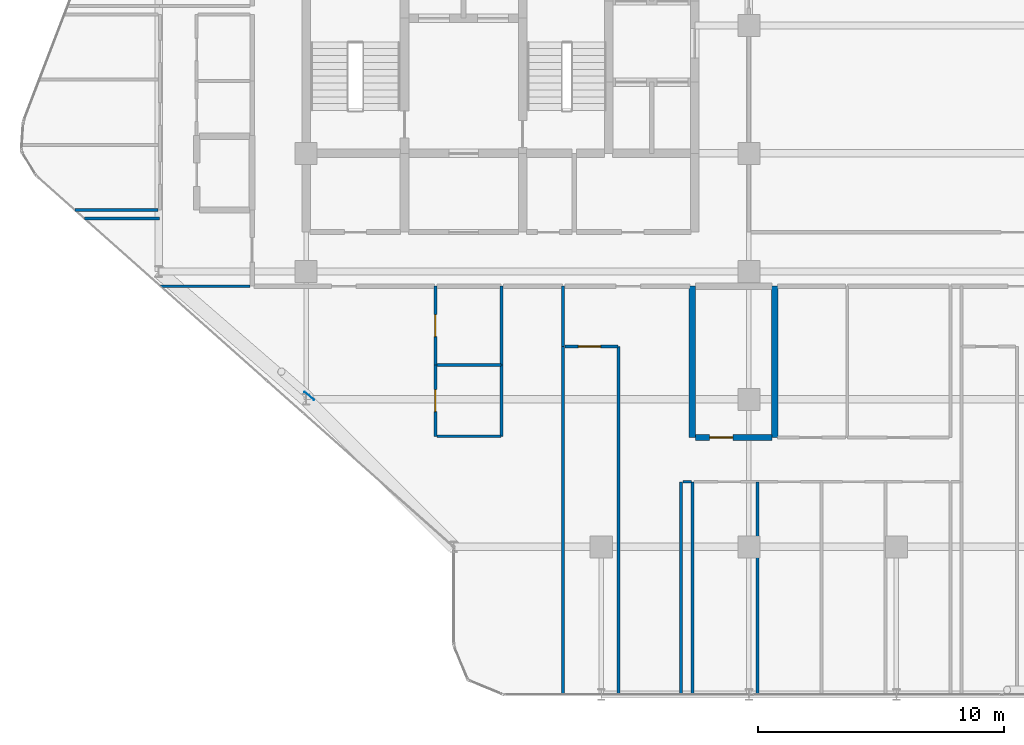
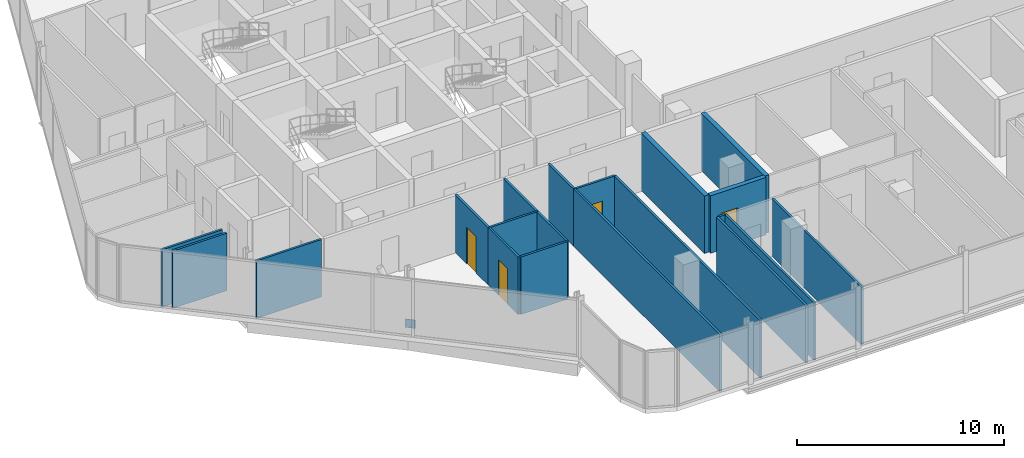
# One storey, part 23 of 29: 20 walls, 4 doors, 1 plate, 4 openings.
"""IFC4 building model written with IfcOpenShell, lengths in metres."""

from ifc_helpers import new_model, si_unit, direction, frame, frame_2d, origin, origin_2d, place, context, subcontext, project, spatial, rectangle, extrude, material, layer, layer_set, type_object, element, fill, save


model = new_model("IFC4")

# Units and contexts
model_context = context("Model", 3, precision=1e-05, world=origin(), true_north=direction((0.0, 1.0)))
body_context = subcontext(model_context, "Body", "Model", "MODEL_VIEW")
ifc_project = project(units=[si_unit("LENGTHUNIT", "METRE"), si_unit("AREAUNIT", "SQUARE_METRE"), si_unit("VOLUMEUNIT", "CUBIC_METRE"), si_unit("PLANEANGLEUNIT", "RADIAN"), si_unit("MASSUNIT", "GRAM", prefix="KILO")], contexts=[model_context])

# Site, building, storey
site_placement = place(None, origin())
site = spatial("IfcSite", under=ifc_project, at=site_placement, CompositionType="ELEMENT")
building_placement = place(site_placement, origin())
building = spatial("IfcBuilding", under=site, at=building_placement, Name="Keshet Zoharim Tower", CompositionType="ELEMENT")
storey_placement = place(building_placement, frame((0.0, 0.0, 169.10009765625)))
storey = spatial("IfcBuildingStorey", under=building, at=storey_placement, Name="L41", CompositionType="ELEMENT", Elevation=169.10009765625)

# Plate
ifc_material_1 = material(Name="Steel S355", Category="steel")
ifc_layer_1 = layer(ifc_material_1, 0.02001953125)
ifc_layer_set_1 = layer_set([ifc_layer_1], Name="Steel S355")
plate_type = type_object("IfcPlateType", Name="PL-GUS-20", PredefinedType="SHEET", material=ifc_layer_set_1)
plate_placement = place(storey_placement, frame((15.1259765625, 12.842041015625, 0.0), z_axis=(0.0, 0.0, 1.0), x_axis=(-0.75568908279, 0.654930538418, 0.0)))
element("IfcPlate", 1, at=plate_placement, inside=storey, type_object=plate_type, Name="L41 Perimeter Brace Gusset 01", PredefinedType="SHEET", context=body_context, shape_type="SweptSolid", body=[
    extrude(rectangle(XDim=0.5, YDim=0.02001953125, at=origin_2d()), origin(), (0.0, 0.0, 1.0), 0.5),
])

# Walls
ifc_material_2 = material(Name="Concrete C50/60", Category="concrete")
ifc_layer_2 = layer(ifc_material_2, 0.25)
ifc_layer_set_2 = layer_set([ifc_layer_2], Name="Concrete C50/60")
wall_type_1 = type_object("IfcWallType", Name="WL-MAMAD-250", PredefinedType="STANDARD", material=ifc_layer_set_2)
for number, where, z_axis, x_axis, name in (
    (2, (30.699951171875, 11.14990234375, 0.0), (0.0, 0.0, 1.0), (0.0, 1.0, 0.0), "L41 Interior Wall 058"),
    (3, (34.050048828125, 11.14990234375, 0.0), (0.0, 0.0, 1.0), (0.0, 1.0, 0.0), "L41 Interior Wall 070"),
):
    element("IfcWall", number, at=place(storey_placement, frame(where, z_axis=z_axis, x_axis=x_axis)), inside=storey, type_object=wall_type_1, Name=name, PredefinedType="STANDARD", context=body_context, shape_type="SweptSolid", body=[
        extrude(rectangle(XDim=6.150146484375, YDim=0.25, at=frame_2d((3.0751953125, 0.0))), origin(), (0.0, 0.0, 1.0), 3.389892578125),
    ])

# Wall, opening, door
wall_1_placement = place(storey_placement, frame((30.830078125, 11.14990234375, 0.0), z_axis=(0.0, 0.0, 1.0), x_axis=(1.0, 0.0, 0.0)))
wall_1 = element("IfcWall", 4, at=wall_1_placement, inside=storey, type_object=wall_type_1, Name="L41 Interior Wall 099", PredefinedType="STANDARD", context=body_context, shape_type="SweptSolid", body=[
    extrude(rectangle(XDim=3.10595703125, YDim=0.25, at=frame_2d((1.552978515625, 0.0))), origin(), (0.0, 0.0, 1.0), 3.389892578125),
])
opening_1_placement = place(wall_1_placement, frame((0.574951171875, 0.0, 0.0)))
opening_1 = element("IfcOpeningElement", 5, at=opening_1_placement, cuts=wall_1, Name="Opening D-F695", PredefinedType="OPENING", context=body_context, shape_type="SweptSolid", body=[
    extrude(rectangle(XDim=0.949951171875, YDim=2.14990234375, at=frame_2d((0.47509765625, 1.074951171875))), frame((0.0, 0.135009765625, 0.0), z_axis=(0.0, -1.0, 0.0), x_axis=(1.0, 0.0, 0.0)), (0.0, 0.0, 1.0), 0.27001953125),
])
ifc_material_3 = material(Name="Hardwood Timber", Category="wood")
door_type_1 = type_object("IfcDoorType", Name="DR-FD60-095", OperationType="NOTDEFINED", PredefinedType="DOOR", material=ifc_material_3)
door_1_placement = place(opening_1_placement, origin())
door_1 = element("IfcDoor", 6, at=door_1_placement, inside=storey, type_object=door_type_1, Name="Apartment 4102 Study and Shelter Room Door", OperationType="SINGLE_SWING_RIGHT", OverallHeight=2.14990234375, OverallWidth=0.949951171875, PredefinedType="DOOR", context=body_context, shape_type="SweptSolid", body=[
    extrude(rectangle(XDim=0.949951171875, YDim=2.14990234375, at=frame_2d((0.47509765625, 1.074951171875))), frame((0.0, 0.02490234375, 0.0), z_axis=(0.0, -1.0, 0.0), x_axis=(1.0, 0.0, 0.0)), (0.0, 0.0, 1.0), 0.050048828125),
])
fill(opening_1, door_1)

ifc_material_4 = material(Name="Gypsum Plasterboard", Category="gypsum")
ifc_layer_3 = layer(ifc_material_4, 0.1201171875)
ifc_layer_set_3 = layer_set([ifc_layer_3], Name="Gypsum Plasterboard")
wall_type_2 = type_object("IfcWallType", Name="WL-PART-120", PredefinedType="PARTITIONING", material=ifc_layer_set_3)
wall_2_placement = place(storey_placement, frame((20.25, 14.10009765625, 0.0), z_axis=(0.0, 0.0, 1.0), x_axis=(0.0, 1.0, 0.0)))
wall_2 = element("IfcWall", 7, at=wall_2_placement, inside=storey, type_object=wall_type_2, Name="L41 Interior Wall 027", PredefinedType="PARTITIONING", context=body_context, shape_type="SweptSolid", body=[
    extrude(rectangle(XDim=3.199951171875, YDim=0.1201171875, at=frame_2d((1.60009765625, 0.0))), origin(), (0.0, 0.0, 1.0), 3.389892578125),
])
opening_2_placement = place(wall_2_placement, frame((1.14990234375, 0.0, 0.0)))
opening_2 = element("IfcOpeningElement", 8, at=opening_2_placement, cuts=wall_2, Name="Opening D-IN90", PredefinedType="OPENING", context=body_context, shape_type="SweptSolid", body=[
    extrude(rectangle(XDim=0.89990234375, YDim=2.14990234375, at=frame_2d((0.449951171875, 1.074951171875))), frame((0.0, 0.070068359375, 0.0), z_axis=(0.0, -1.0, 0.0), x_axis=(1.0, 0.0, 0.0)), (0.0, 0.0, 1.0), 0.14013671875),
])
door_type_2 = type_object("IfcDoorType", Name="DR-INT-090", OperationType="NOTDEFINED", PredefinedType="DOOR", material=ifc_material_3)
door_2_placement = place(opening_2_placement, origin())
door_2 = element("IfcDoor", 9, at=door_2_placement, inside=storey, type_object=door_type_2, Name="Apartment 4101 Kitchenette Door", OperationType="SINGLE_SWING_RIGHT", OverallHeight=2.14990234375, OverallWidth=0.89990234375, PredefinedType="DOOR", context=body_context, shape_type="SweptSolid", body=[
    extrude(rectangle(XDim=0.89990234375, YDim=2.14990234375, at=frame_2d((0.449951171875, 1.074951171875))), frame((0.0, 0.02490234375, 0.0), z_axis=(0.0, -1.0, 0.0), x_axis=(1.0, 0.0, 0.0)), (0.0, 0.0, 1.0), 0.050048828125),
])
fill(opening_2, door_2)

# Walls
wall_3_placement = place(storey_placement, frame((22.949951171875, 14.10009765625, 0.0), z_axis=(0.0, 0.0, 1.0), x_axis=(0.0, 1.0, 0.0)))
element("IfcWall", 10, at=wall_3_placement, inside=storey, type_object=wall_type_2, Name="L41 Interior Wall 032", PredefinedType="PARTITIONING", context=body_context, shape_type="SweptSolid", body=[
    extrude(rectangle(XDim=3.199951171875, YDim=0.1201171875, at=frame_2d((1.60009765625, 0.0))), origin(), (0.0, 0.0, 1.0), 3.389892578125),
])
wall_4_placement = place(storey_placement, frame((25.449951171875, 0.7099609375, 0.0), z_axis=(0.0, 0.0, 1.0), x_axis=(0.0, 1.0, 0.0)))
element("IfcWall", 11, at=wall_4_placement, inside=storey, type_object=wall_type_2, Name="L41 Interior Wall 041", PredefinedType="PARTITIONING", context=body_context, shape_type="SweptSolid", body=[
    extrude(rectangle(XDim=14.14013671875, YDim=0.1201171875, at=frame_2d((7.070068359375, 0.0))), origin(), (0.0, 0.0, 1.0), 3.389892578125),
])
wall_5_placement = place(storey_placement, frame((25.449951171875, 14.85009765625, 0.0), z_axis=(0.0, 0.0, 1.0), x_axis=(0.0, 1.0, 0.0)))
element("IfcWall", 12, at=wall_5_placement, inside=storey, type_object=wall_type_2, Name="L41 Interior Wall 042", PredefinedType="PARTITIONING", context=body_context, shape_type="SweptSolid", body=[
    extrude(rectangle(XDim=2.449951171875, YDim=0.1201171875, at=frame_2d((1.22509765625, 0.0))), origin(), (0.0, 0.0, 1.0), 3.389892578125),
])
wall_6_placement = place(storey_placement, frame((27.699951171875, 0.7099609375, 0.0), z_axis=(0.0, 0.0, 1.0), x_axis=(0.0, 1.0, 0.0)))
element("IfcWall", 13, at=wall_6_placement, inside=storey, type_object=wall_type_2, Name="L41 Interior Wall 051", PredefinedType="PARTITIONING", context=body_context, shape_type="SweptSolid", body=[
    extrude(rectangle(XDim=14.14013671875, YDim=0.1201171875, at=frame_2d((7.070068359375, 0.0))), origin(), (0.0, 0.0, 1.0), 3.389892578125),
])
for number, where, z_axis, x_axis, name in (
    (14, (30.25, 0.7099609375, 0.0), (0.0, 0.0, 1.0), (0.0, 1.0, 0.0), "L41 Interior Wall 056"),
    (15, (30.699951171875, 0.7099609375, 0.0), (0.0, 0.0, 1.0), (0.0, 1.0, 0.0), "L41 Interior Wall 057"),
    (16, (33.35009765625, 0.7099609375, 0.0), (0.0, 0.0, 1.0), (0.0, 1.0, 0.0), "L41 Interior Wall 069"),
):
    element("IfcWall", number, at=place(storey_placement, frame(where, z_axis=z_axis, x_axis=x_axis)), inside=storey, type_object=wall_type_2, Name=name, PredefinedType="PARTITIONING", context=body_context, shape_type="SweptSolid", body=[
        extrude(rectangle(XDim=8.64013671875, YDim=0.1201171875, at=frame_2d((4.320068359375, 0.0))), origin(), (0.0, 0.0, 1.0), 3.389892578125),
    ])
wall_7_placement = place(storey_placement, frame((30.31494140625, 9.35009765625, 0.0), z_axis=(0.0, 0.0, 1.0), x_axis=(1.0, 0.0, 0.0)))
element("IfcWall", 17, at=wall_7_placement, inside=storey, type_object=wall_type_2, Name="L41 Interior Wall 094", PredefinedType="PARTITIONING", context=body_context, shape_type="SweptSolid", body=[
    extrude(rectangle(XDim=0.360107421875, YDim=0.1201171875, at=frame_2d((0.18017578125, 0.0))), origin(), (0.0, 0.0, 1.0), 3.389892578125),
])

# Wall, opening, door
wall_8_placement = place(storey_placement, frame((25.514892578125, 14.85009765625, 0.0), z_axis=(0.0, 0.0, 1.0), x_axis=(1.0, 0.0, 0.0)))
wall_8 = element("IfcWall", 18, at=wall_8_placement, inside=storey, type_object=wall_type_2, Name="L41 Interior Wall 107", PredefinedType="PARTITIONING", context=body_context, shape_type="SweptSolid", body=[
    extrude(rectangle(XDim=2.16015625, YDim=0.1201171875, at=frame_2d((1.080078125, 0.0))), origin(), (0.0, 0.0, 1.0), 3.389892578125),
])
opening_3_placement = place(wall_8_placement, frame((0.552978515625, 0.0, 0.0)))
opening_3 = element("IfcOpeningElement", 19, at=opening_3_placement, cuts=wall_8, Name="Opening D-IN90", PredefinedType="OPENING", context=body_context, shape_type="SweptSolid", body=[
    extrude(rectangle(XDim=0.89990234375, YDim=2.14990234375, at=frame_2d((0.449951171875, 1.074951171875))), frame((0.0, 0.070068359375, 0.0), z_axis=(0.0, -1.0, 0.0), x_axis=(1.0, 0.0, 0.0)), (0.0, 0.0, 1.0), 0.14013671875),
])
door_3_placement = place(opening_3_placement, origin())
door_3 = element("IfcDoor", 20, at=door_3_placement, inside=storey, type_object=door_type_2, Name="Apartment 4102 Formal Dining Room Door", OperationType="SINGLE_SWING_RIGHT", OverallHeight=2.14990234375, OverallWidth=0.89990234375, PredefinedType="DOOR", context=body_context, shape_type="SweptSolid", body=[
    extrude(rectangle(XDim=0.89990234375, YDim=2.14990234375, at=frame_2d((0.449951171875, 1.074951171875))), frame((0.0, 0.02490234375, 0.0), z_axis=(0.0, -1.0, 0.0), x_axis=(1.0, 0.0, 0.0)), (0.0, 0.0, 1.0), 0.050048828125),
])
fill(opening_3, door_3)

# Walls
wall_9_placement = place(storey_placement, frame((9.0849609375, 17.300048828125, 0.0), z_axis=(0.0, 0.0, 1.0), x_axis=(1.0, 0.0, 0.0)))
element("IfcWall", 21, at=wall_9_placement, inside=storey, type_object=wall_type_2, Name="L41 Interior Wall 109", PredefinedType="PARTITIONING", context=body_context, shape_type="SweptSolid", body=[
    extrude(rectangle(XDim=3.64013671875, YDim=0.1201171875, at=frame_2d((1.820068359375, 0.0))), origin(), (0.0, 0.0, 1.0), 3.389892578125),
])
wall_10_placement = place(storey_placement, frame((5.990966796875, 20.050048828125, 0.0), z_axis=(0.0, 0.0, 1.0), x_axis=(1.0, 0.0, 0.0)))
element("IfcWall", 22, at=wall_10_placement, inside=storey, type_object=wall_type_2, Name="L41 Interior Wall 128", PredefinedType="PARTITIONING", context=body_context, shape_type="SweptSolid", body=[
    extrude(rectangle(XDim=3.0390625, YDim=0.1201171875, at=frame_2d((1.51953125, 0.0))), origin(), (0.0, 0.0, 1.0), 3.389892578125),
])
wall_11_placement = place(storey_placement, frame((5.596923828125, 20.39990234375, 0.0), z_axis=(0.0, 0.0, 1.0), x_axis=(1.0, 0.0, 0.0)))
element("IfcWall", 23, at=wall_11_placement, inside=storey, type_object=wall_type_2, Name="L41 Interior Wall 129", PredefinedType="PARTITIONING", context=body_context, shape_type="SweptSolid", body=[
    extrude(rectangle(XDim=3.38818359375, YDim=0.1201171875, at=frame_2d((1.694091796875, 0.0))), origin(), (0.0, 0.0, 1.0), 3.389892578125),
])

# Wall, opening, door
ifc_layer_4 = layer(ifc_material_4, 0.1201171875)
ifc_layer_set_4 = layer_set([ifc_layer_4], Name="Gypsum Plasterboard")
wall_type_3 = type_object("IfcWallType", Name="WL-WET-120", PredefinedType="PARTITIONING", material=ifc_layer_set_4)
wall_12_placement = place(storey_placement, frame((20.25, 11.199951171875, 0.0), z_axis=(0.0, 0.0, 1.0), x_axis=(0.0, 1.0, 0.0)))
wall_12 = element("IfcWall", 24, at=wall_12_placement, inside=storey, type_object=wall_type_3, Name="L41 Interior Wall 026", PredefinedType="PARTITIONING", context=body_context, shape_type="SweptSolid", body=[
    extrude(rectangle(XDim=2.900146484375, YDim=0.1201171875, at=frame_2d((1.4501953125, 0.0))), origin(), (0.0, 0.0, 1.0), 3.389892578125),
])
opening_4_placement = place(wall_12_placement, frame((1.0, 0.0, 0.0)))
opening_4 = element("IfcOpeningElement", 25, at=opening_4_placement, cuts=wall_12, Name="Opening D-WT90", PredefinedType="OPENING", context=body_context, shape_type="SweptSolid", body=[
    extrude(rectangle(XDim=0.89990234375, YDim=2.10009765625, at=frame_2d((0.449951171875, 1.050048828125))), frame((0.0, 0.070068359375, 0.0), z_axis=(0.0, -1.0, 0.0), x_axis=(1.0, 0.0, 0.0)), (0.0, 0.0, 1.0), 0.14013671875),
])
door_type_3 = type_object("IfcDoorType", Name="DR-WET-090", OperationType="NOTDEFINED", PredefinedType="DOOR", material=ifc_material_3)
door_4_placement = place(opening_4_placement, origin())
door_4 = element("IfcDoor", 26, at=door_4_placement, inside=storey, type_object=door_type_3, Name="Apartment 4101 Bathroom Door", OperationType="SINGLE_SWING_LEFT", OverallHeight=2.10009765625, OverallWidth=0.89990234375, PredefinedType="DOOR", context=body_context, shape_type="SweptSolid", body=[
    extrude(rectangle(XDim=0.89990234375, YDim=2.10009765625, at=frame_2d((0.449951171875, 1.050048828125))), frame((0.0, 0.02490234375, 0.0), z_axis=(0.0, -1.0, 0.0), x_axis=(1.0, 0.0, 0.0)), (0.0, 0.0, 1.0), 0.050048828125),
])
fill(opening_4, door_4)

# Walls
wall_13_placement = place(storey_placement, frame((22.949951171875, 11.199951171875, 0.0), z_axis=(0.0, 0.0, 1.0), x_axis=(0.0, 1.0, 0.0)))
element("IfcWall", 27, at=wall_13_placement, inside=storey, type_object=wall_type_3, Name="L41 Interior Wall 031", PredefinedType="PARTITIONING", context=body_context, shape_type="SweptSolid", body=[
    extrude(rectangle(XDim=2.900146484375, YDim=0.1201171875, at=frame_2d((1.4501953125, 0.0))), origin(), (0.0, 0.0, 1.0), 3.389892578125),
])
for number, where, z_axis, x_axis, name in (
    (28, (20.31494140625, 11.199951171875, 0.0), (0.0, 0.0, 1.0), (1.0, 0.0, 0.0), "L41 Interior Wall 105"),
    (29, (20.31494140625, 14.10009765625, 0.0), (0.0, 0.0, 1.0), (1.0, 0.0, 0.0), "L41 Interior Wall 106"),
):
    element("IfcWall", number, at=place(storey_placement, frame(where, z_axis=z_axis, x_axis=x_axis)), inside=storey, type_object=wall_type_3, Name=name, PredefinedType="PARTITIONING", context=body_context, shape_type="SweptSolid", body=[
        extrude(rectangle(XDim=2.610107421875, YDim=0.1201171875, at=frame_2d((1.30517578125, 0.0))), origin(), (0.0, 0.0, 1.0), 3.389892578125),
    ])

save(model, "model.ifc")
